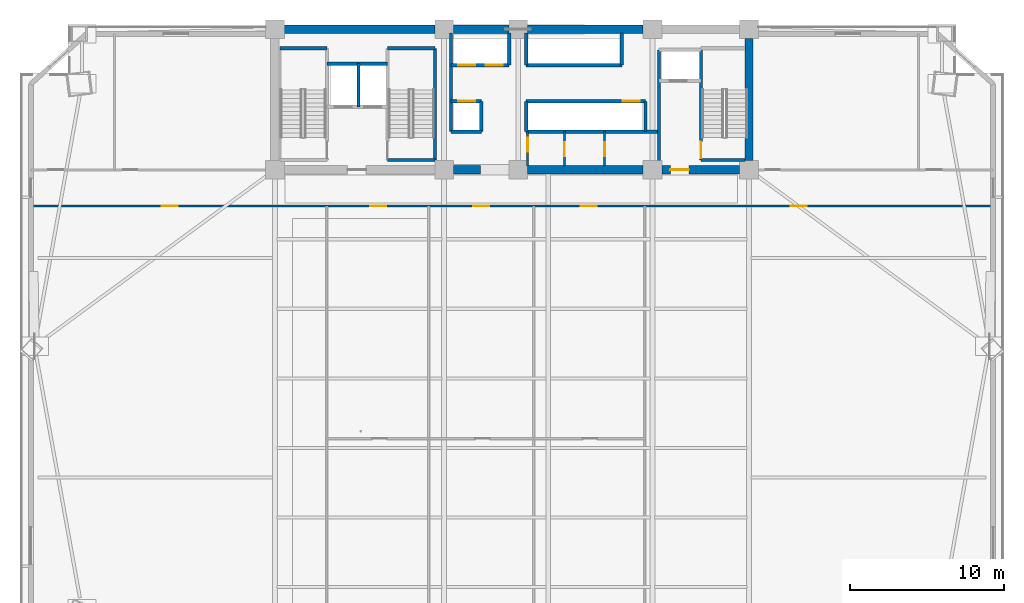
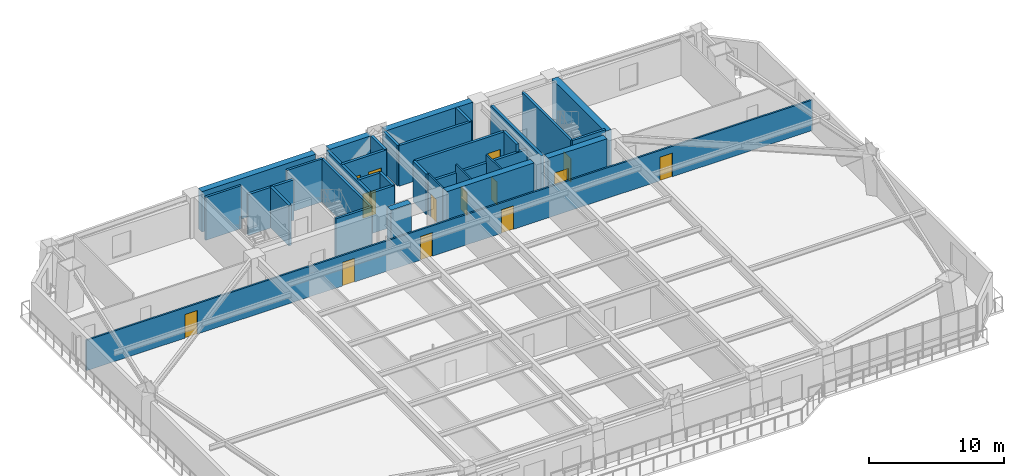
# One storey, part 9 of 16: 33 walls, 14 doors, 14 openings.
"""IFC4 building model written with IfcOpenShell, lengths in metres."""

from ifc_helpers import new_model, si_unit, direction, frame, frame_2d, origin, place, context, subcontext, project, spatial, rectangle, extrude, source, transform, mapped, material, layer, layer_set, type_object, element, fill, save


model = new_model("IFC4")

# Units and contexts
model_context = context("Model", 3, precision=1e-05, world=origin(), true_north=direction((0.0, 1.0)))
body_context = subcontext(model_context, "Body", "Model", "MODEL_VIEW")
ifc_project = project(units=[si_unit("LENGTHUNIT", "METRE"), si_unit("AREAUNIT", "SQUARE_METRE"), si_unit("VOLUMEUNIT", "CUBIC_METRE"), si_unit("PLANEANGLEUNIT", "RADIAN"), si_unit("MASSUNIT", "GRAM", prefix="KILO")], contexts=[model_context])

# Site, building, storey
site_placement = place(None, origin())
site = spatial("IfcSite", under=ifc_project, at=site_placement, CompositionType="ELEMENT")
building_placement = place(site_placement, origin())
building = spatial("IfcBuilding", under=site, at=building_placement, Name="Giltprow Tower", CompositionType="ELEMENT")
storey_placement = place(building_placement, frame((0.0, 0.0, 83.5)))
storey = spatial("IfcBuildingStorey", under=building, at=storey_placement, Name="L20", CompositionType="ELEMENT", Elevation=83.5)

# Wall, openings, doors
ifc_material_1 = material(Name="Gypsum stud partition", Category="gypsum")
ifc_layer_1 = layer(ifc_material_1, 0.14990234375, Name="Gypsum stud partition")
ifc_layer_set_1 = layer_set([ifc_layer_1], Name="Gypsum stud partition")
wall_type_1 = type_object("IfcWallType", Name="IW-CORR-150", PredefinedType="PARTITIONING", material=ifc_layer_set_1)
wall_1_placement = place(storey_placement, frame((4.0400390625, 35.10009765625, 0.0), z_axis=(0.0, 0.0, 1.0), x_axis=(1.0, 0.0, 0.0)))
wall_1 = element("IfcWall", 1, at=wall_1_placement, inside=storey, type_object=wall_type_1, Name="L20 Office Loop Corridor Wall", PredefinedType="PARTITIONING", context=body_context, shape_type="SweptSolid", body=[
    extrude(rectangle(XDim=62.321044921875, YDim=0.14990234375, at=frame_2d((31.16064453125, 0.0))), origin(), (0.0, 0.0, 1.0), 2.764892578125),
])
opening_1_placement = place(wall_1_placement, frame((8.4619140625, 0.0, 0.0)))
opening_1 = element("IfcOpeningElement", 2, at=opening_1_placement, cuts=wall_1, Name="Opening ID31", PredefinedType="OPENING", context=body_context, shape_type="SweptSolid", body=[
    extrude(rectangle(XDim=1.050048828125, YDim=2.14990234375, at=frame_2d((0.52490234375, 1.074951171875))), frame((0.0, 0.0849609375, 0.0), z_axis=(0.0, -1.0, 0.0), x_axis=(1.0, 0.0, 0.0)), (0.0, 0.0, 1.0), 0.169921875),
])
opening_2_placement = place(wall_1_placement, frame((21.966064453125, 0.0, 0.0)))
opening_2 = element("IfcOpeningElement", 3, at=opening_2_placement, cuts=wall_1, Name="Opening ID31", PredefinedType="OPENING", context=body_context, shape_type="SweptSolid", body=[
    extrude(rectangle(XDim=1.050048828125, YDim=2.14990234375, at=frame_2d((0.52490234375, 1.074951171875))), frame((0.0, 0.0849609375, 0.0), z_axis=(0.0, -1.0, 0.0), x_axis=(1.0, 0.0, 0.0)), (0.0, 0.0, 1.0), 0.169921875),
])
opening_3_placement = place(wall_1_placement, frame((28.64599609375, 0.0, 0.0)))
opening_3 = element("IfcOpeningElement", 4, at=opening_3_placement, cuts=wall_1, Name="Opening ID31", PredefinedType="OPENING", context=body_context, shape_type="SweptSolid", body=[
    extrude(rectangle(XDim=1.050048828125, YDim=2.14990234375, at=frame_2d((0.52490234375, 1.074951171875))), frame((0.0, 0.0849609375, 0.0), z_axis=(0.0, -1.0, 0.0), x_axis=(1.0, 0.0, 0.0)), (0.0, 0.0, 1.0), 0.169921875),
])
opening_4_placement = place(wall_1_placement, frame((35.60595703125, 0.0, 0.0)))
opening_4 = element("IfcOpeningElement", 5, at=opening_4_placement, cuts=wall_1, Name="Opening ID31", PredefinedType="OPENING", context=body_context, shape_type="SweptSolid", body=[
    extrude(rectangle(XDim=1.050048828125, YDim=2.14990234375, at=frame_2d((0.52490234375, 1.074951171875))), frame((0.0, 0.0849609375, 0.0), z_axis=(0.0, -1.0, 0.0), x_axis=(1.0, 0.0, 0.0)), (0.0, 0.0, 1.0), 0.169921875),
])
opening_5_placement = place(wall_1_placement, frame((49.216064453125, 0.0, 0.0)))
opening_5 = element("IfcOpeningElement", 6, at=opening_5_placement, cuts=wall_1, Name="Opening ID31", PredefinedType="OPENING", context=body_context, shape_type="SweptSolid", body=[
    extrude(rectangle(XDim=1.050048828125, YDim=2.14990234375, at=frame_2d((0.52490234375, 1.074951171875))), frame((0.0, 0.0849609375, 0.0), z_axis=(0.0, -1.0, 0.0), x_axis=(1.0, 0.0, 0.0)), (0.0, 0.0, 1.0), 0.169921875),
])
ifc_material_2 = material(Name="Engineered timber", Category="wood")
door_type_1 = type_object("IfcDoorType", Name="DR-SUITE-1050", OperationType="SINGLE_SWING_LEFT", PredefinedType="DOOR", material=ifc_material_2)
shared_shape_1 = source(origin(), body_context, "Body", "SweptSolid", [
    extrude(rectangle(XDim=1.050048828125, YDim=2.14990234375, at=frame_2d((0.52490234375, 1.074951171875))), frame((0.0, 0.02490234375, 0.0), z_axis=(0.0, -1.0, 0.0), x_axis=(1.0, 0.0, 0.0)), (0.0, 0.0, 1.0), 0.050048828125),
])
door_1_placement = place(opening_1_placement, origin())
door_1 = element("IfcDoor", 7, at=door_1_placement, inside=storey, type_object=door_type_1, Name="L20 Barista Test Kitchen 1 Door", OperationType="SINGLE_SWING_LEFT", OverallHeight=2.14990234375, OverallWidth=1.050048828125, PredefinedType="DOOR", context=body_context, shape_type="MappedRepresentation", body=[
    mapped(shared_shape_1, transform((0.0, 0.0, 0.0), x_axis=(1.0, 0.0, 0.0), y_axis=(0.0, 1.0, 0.0), z_axis=(0.0, 0.0, 1.0), scale=1.0)),
])
fill(opening_1, door_1)
door_2_placement = place(opening_2_placement, origin())
door_2 = element("IfcDoor", 8, at=door_2_placement, inside=storey, type_object=door_type_1, Name="L20 Suite Reception Foyer Door", OperationType="SINGLE_SWING_RIGHT", OverallHeight=2.14990234375, OverallWidth=1.050048828125, PredefinedType="DOOR", context=body_context, shape_type="MappedRepresentation", body=[
    mapped(shared_shape_1, transform((0.0, 0.0, 0.0), x_axis=(1.0, 0.0, 0.0), y_axis=(0.0, 1.0, 0.0), z_axis=(0.0, 0.0, 1.0), scale=1.0)),
])
fill(opening_2, door_2)
door_3_placement = place(opening_3_placement, origin())
door_3 = element("IfcDoor", 9, at=door_3_placement, inside=storey, type_object=door_type_1, Name="L20 Suite Reception Foyer Door", OperationType="SINGLE_SWING_RIGHT", OverallHeight=2.14990234375, OverallWidth=1.050048828125, PredefinedType="DOOR", context=body_context, shape_type="MappedRepresentation", body=[
    mapped(shared_shape_1, transform((0.0, 0.0, 0.0), x_axis=(1.0, 0.0, 0.0), y_axis=(0.0, 1.0, 0.0), z_axis=(0.0, 0.0, 1.0), scale=1.0)),
])
fill(opening_3, door_3)
door_4_placement = place(opening_4_placement, origin())
door_4 = element("IfcDoor", 10, at=door_4_placement, inside=storey, type_object=door_type_1, Name="L20 Suite Reception Foyer Door", OperationType="SINGLE_SWING_RIGHT", OverallHeight=2.14990234375, OverallWidth=1.050048828125, PredefinedType="DOOR", context=body_context, shape_type="MappedRepresentation", body=[
    mapped(shared_shape_1, transform((0.0, 0.0, 0.0), x_axis=(1.0, 0.0, 0.0), y_axis=(0.0, 1.0, 0.0), z_axis=(0.0, 0.0, 1.0), scale=1.0)),
])
fill(opening_4, door_4)
door_5_placement = place(opening_5_placement, origin())
door_5 = element("IfcDoor", 11, at=door_5_placement, inside=storey, type_object=door_type_1, Name="L20 Harbour Reading Lounge Door", OperationType="SINGLE_SWING_RIGHT", OverallHeight=2.14990234375, OverallWidth=1.050048828125, PredefinedType="DOOR", context=body_context, shape_type="MappedRepresentation", body=[
    mapped(shared_shape_1, transform((0.0, 0.0, 0.0), x_axis=(1.0, 0.0, 0.0), y_axis=(0.0, 1.0, 0.0), z_axis=(0.0, 0.0, 1.0), scale=1.0)),
])
fill(opening_5, door_5)

# Walls
ifc_material_3 = material(Name="Concrete C40", Category="concrete")
ifc_layer_2 = layer(ifc_material_3, 0.219970703125, Name="Concrete C40")
ifc_layer_set_2 = layer_set([ifc_layer_2], Name="Concrete C40")
wall_type_2 = type_object("IfcWallType", Name="IW-SHAFT-220", PredefinedType="SOLIDWALL", material=ifc_layer_set_2)
wall_2_placement = place(storey_placement, frame((25.260009765625, 41.52001953125, 0.0), z_axis=(0.0, 0.0, 1.0), x_axis=(0.0, 1.0, 0.0)))
element("IfcWall", 12, at=wall_2_placement, inside=storey, type_object=wall_type_2, Name="L20 FFL1-SVL1 Shaft Divider", PredefinedType="SOLIDWALL", context=body_context, shape_type="SweptSolid", body=[
    extrude(rectangle(XDim=2.800048828125, YDim=0.219970703125, at=frame_2d((1.39990234375, 0.0))), origin(), (0.0, 0.0, 1.0), 3.679931640625),
])
wall_3_placement = place(storey_placement, frame((23.219970703125, 44.320068359375, 0.0), z_axis=(0.0, 0.0, 1.0), x_axis=(1.0, 0.0, 0.0)))
element("IfcWall", 13, at=wall_3_placement, inside=storey, type_object=wall_type_2, Name="L20 FFL1-SVL1 Back Shaft Wall", PredefinedType="SOLIDWALL", context=body_context, shape_type="SweptSolid", body=[
    extrude(rectangle(XDim=3.919921875, YDim=0.219970703125, at=frame_2d((1.9599609375, 0.0))), origin(), (0.0, 0.0, 1.0), 3.679931640625),
])
wall_4_placement = place(storey_placement, frame((44.719970703125, 37.705078125, 0.0), z_axis=(0.0, 0.0, 1.0), x_axis=(0.0, 1.0, 0.0)))
element("IfcWall", 14, at=wall_4_placement, inside=storey, type_object=wall_type_2, Name="L20 East Firefighting Lobby West Wall", PredefinedType="SOLIDWALL", context=body_context, shape_type="SweptSolid", body=[
    extrude(rectangle(XDim=7.514892578125, YDim=0.219970703125, at=frame_2d((3.75732421875, 0.0))), origin(), (0.0, 0.0, 1.0), 3.679931640625),
])

# Wall, openings, doors
wall_5_placement = place(storey_placement, frame((31.25, 44.219970703125, 0.0), z_axis=(0.0, 0.0, 1.0), x_axis=(1.0, 0.0, 0.0)))
wall_5 = element("IfcWall", 15, at=wall_5_placement, inside=storey, type_object=wall_type_2, Name="L20 North West Lift Shaft Front Wall", PredefinedType="SOLIDWALL", context=body_context, shape_type="SweptSolid", body=[
    extrude(rectangle(XDim=3.77001953125, YDim=0.219970703125, at=frame_2d((1.885009765625, 0.0))), origin(), (0.0, 0.0, 1.0), 3.679931640625),
])
opening_6_placement = place(wall_5_placement, frame((0.4599609375, 0.0, 0.0)))
opening_6 = element("IfcOpeningElement", 16, at=opening_6_placement, cuts=wall_5, Name="Opening LD-11", PredefinedType="OPENING", context=body_context, shape_type="SweptSolid", body=[
    extrude(rectangle(XDim=1.10009765625, YDim=2.199951171875, at=frame_2d((0.550048828125, 1.10009765625))), frame((0.0, 0.119873046875, 0.0), z_axis=(0.0, -1.0, 0.0), x_axis=(1.0, 0.0, 0.0)), (0.0, 0.0, 1.0), 0.239990234375),
])
opening_7_placement = place(wall_5_placement, frame((2.239990234375, 0.0, 0.0)))
opening_7 = element("IfcOpeningElement", 17, at=opening_7_placement, cuts=wall_5, Name="Opening LD-11", PredefinedType="OPENING", context=body_context, shape_type="SweptSolid", body=[
    extrude(rectangle(XDim=1.10009765625, YDim=2.199951171875, at=frame_2d((0.550048828125, 1.10009765625))), frame((0.0, 0.119873046875, 0.0), z_axis=(0.0, -1.0, 0.0), x_axis=(1.0, 0.0, 0.0)), (0.0, 0.0, 1.0), 0.239990234375),
])
ifc_material_4 = material(Name="Stainless steel", Category="steel")
door_type_2 = type_object("IfcDoorType", Name="DR-LIFT-LD1100", OperationType="SLIDING_TO_LEFT", PredefinedType="DOOR", material=ifc_material_4)
shared_shape_2 = source(origin(), body_context, "Body", "SweptSolid", [
    extrude(rectangle(XDim=1.10009765625, YDim=2.199951171875, at=frame_2d((0.550048828125, 1.10009765625))), frame((0.0, 0.02490234375, 0.0), z_axis=(0.0, -1.0, 0.0), x_axis=(1.0, 0.0, 0.0)), (0.0, 0.0, 1.0), 0.050048828125),
])
door_6_placement = place(opening_6_placement, origin())
door_6 = element("IfcDoor", 18, at=door_6_placement, inside=storey, type_object=door_type_2, Name="L20 PL-L1 Landing Door", OperationType="SLIDING_TO_LEFT", OverallHeight=2.199951171875, OverallWidth=1.10009765625, PredefinedType="DOOR", context=body_context, shape_type="MappedRepresentation", body=[
    mapped(shared_shape_2, transform((0.0, 0.0, 0.0), x_axis=(1.0, 0.0, 0.0), y_axis=(0.0, 1.0, 0.0), z_axis=(0.0, 0.0, 1.0), scale=1.0)),
])
fill(opening_6, door_6)
door_7_placement = place(opening_7_placement, origin())
door_7 = element("IfcDoor", 19, at=door_7_placement, inside=storey, type_object=door_type_2, Name="L20 PL-L2 Landing Door", OperationType="SLIDING_TO_LEFT", OverallHeight=2.199951171875, OverallWidth=1.10009765625, PredefinedType="DOOR", context=body_context, shape_type="MappedRepresentation", body=[
    mapped(shared_shape_2, transform((0.0, 0.0, 0.0), x_axis=(1.0, 0.0, 0.0), y_axis=(0.0, 1.0, 0.0), z_axis=(0.0, 0.0, 1.0), scale=1.0)),
])
fill(opening_7, door_7)

# Walls
wall_6_placement = place(storey_placement, frame((36.1201171875, 44.219970703125, 0.0), z_axis=(0.0, 0.0, 1.0), x_axis=(1.0, 0.0, 0.0)))
element("IfcWall", 20, at=wall_6_placement, inside=storey, type_object=wall_type_2, Name="L20 North East Lift Shaft Front Wall", PredefinedType="SOLIDWALL", context=body_context, shape_type="SweptSolid", body=[
    extrude(rectangle(XDim=6.199951171875, YDim=0.219970703125, at=frame_2d((3.10009765625, 0.0))), origin(), (0.0, 0.0, 1.0), 3.679931640625),
])
for number, where, z_axis, x_axis, name in (
    (21, (35.02001953125, 44.219970703125, 0.0), (0.0, 0.0, 1.0), (0.0, 1.0, 0.0), "L20 North West Lift Shaft East Closure"),
    (22, (36.1201171875, 44.219970703125, 0.0), (0.0, 0.0, 1.0), (0.0, 1.0, 0.0), "L20 North East Lift Shaft West Closure"),
    (23, (42.320068359375, 44.219970703125, 0.0), (0.0, 0.0, 1.0), (0.0, 1.0, 0.0), "L20 North East Lift Shaft East Closure"),
):
    element("IfcWall", number, at=place(storey_placement, frame(where, z_axis=z_axis, x_axis=x_axis)), inside=storey, type_object=wall_type_2, Name=name, PredefinedType="SOLIDWALL", context=body_context, shape_type="SweptSolid", body=[
        extrude(rectangle(XDim=2.074951171875, YDim=0.219970703125, at=frame_2d((1.03759765625, 0.0))), origin(), (0.0, 0.0, 1.0), 3.679931640625),
    ])

# Wall, opening, door
wall_7_placement = place(storey_placement, frame((31.25, 41.8798828125, 0.0), z_axis=(0.0, 0.0, 1.0), x_axis=(1.0, 0.0, 0.0)))
wall_7 = element("IfcWall", 24, at=wall_7_placement, inside=storey, type_object=wall_type_2, Name="L20 South West Lift Shaft Front Wall", PredefinedType="SOLIDWALL", context=body_context, shape_type="SweptSolid", body=[
    extrude(rectangle(XDim=1.969970703125, YDim=0.219970703125, at=frame_2d((0.98486328125, 0.0))), origin(), (0.0, 0.0, 1.0), 3.679931640625),
])
opening_8_placement = place(wall_7_placement, frame((0.4599609375, 0.0, 0.0)))
opening_8 = element("IfcOpeningElement", 25, at=opening_8_placement, cuts=wall_7, Name="Opening LD-11", PredefinedType="OPENING", context=body_context, shape_type="SweptSolid", body=[
    extrude(rectangle(XDim=1.10009765625, YDim=2.199951171875, at=frame_2d((0.550048828125, 1.10009765625))), frame((0.0, 0.119873046875, 0.0), z_axis=(0.0, -1.0, 0.0), x_axis=(1.0, 0.0, 0.0)), (0.0, 0.0, 1.0), 0.239990234375),
])
door_8_placement = place(opening_8_placement, origin())
door_8 = element("IfcDoor", 26, at=door_8_placement, inside=storey, type_object=door_type_2, Name="L20 PL-L3 Landing Door", OperationType="SLIDING_TO_LEFT", OverallHeight=2.199951171875, OverallWidth=1.10009765625, PredefinedType="DOOR", context=body_context, shape_type="MappedRepresentation", body=[
    mapped(shared_shape_2, transform((0.0, 0.0, 0.0), x_axis=(1.0, 0.0, 0.0), y_axis=(0.0, 1.0, 0.0), z_axis=(0.0, 0.0, 1.0), scale=1.0)),
])
fill(opening_8, door_8)

wall_8_placement = place(storey_placement, frame((36.1201171875, 41.8798828125, 0.0), z_axis=(0.0, 0.0, 1.0), x_axis=(1.0, 0.0, 0.0)))
wall_8 = element("IfcWall", 27, at=wall_8_placement, inside=storey, type_object=wall_type_2, Name="L20 South East Lift Shaft Front Wall", PredefinedType="SOLIDWALL", context=body_context, shape_type="SweptSolid", body=[
    extrude(rectangle(XDim=7.72998046875, YDim=0.219970703125, at=frame_2d((3.864990234375, 0.0))), origin(), (0.0, 0.0, 1.0), 3.679931640625),
])
opening_9_placement = place(wall_8_placement, frame((6.260009765625, 0.0, 0.0)))
opening_9 = element("IfcOpeningElement", 28, at=opening_9_placement, cuts=wall_8, Name="Opening LD-11", PredefinedType="OPENING", context=body_context, shape_type="SweptSolid", body=[
    extrude(rectangle(XDim=1.10009765625, YDim=2.199951171875, at=frame_2d((0.550048828125, 1.10009765625))), frame((0.0, 0.119873046875, 0.0), z_axis=(0.0, -1.0, 0.0), x_axis=(1.0, 0.0, 0.0)), (0.0, 0.0, 1.0), 0.239990234375),
])
door_9_placement = place(opening_9_placement, origin())
door_9 = element("IfcDoor", 29, at=door_9_placement, inside=storey, type_object=door_type_2, Name="L20 PL-L4 Landing Door", OperationType="SLIDING_TO_LEFT", OverallHeight=2.199951171875, OverallWidth=1.10009765625, PredefinedType="DOOR", context=body_context, shape_type="MappedRepresentation", body=[
    mapped(shared_shape_2, transform((0.0, 0.0, 0.0), x_axis=(1.0, 0.0, 0.0), y_axis=(0.0, 1.0, 0.0), z_axis=(0.0, 0.0, 1.0), scale=1.0)),
])
fill(opening_9, door_9)

# Walls
wall_9_placement = place(storey_placement, frame((31.25, 39.919921875, 0.0), z_axis=(0.0, 0.0, 1.0), x_axis=(1.0, 0.0, 0.0)))
element("IfcWall", 30, at=wall_9_placement, inside=storey, type_object=wall_type_2, Name="L20 Low-Rise South Lift Back Wall", PredefinedType="SOLIDWALL", context=body_context, shape_type="SweptSolid", body=[
    extrude(rectangle(XDim=1.969970703125, YDim=0.219970703125, at=frame_2d((0.98486328125, 0.0))), origin(), (0.0, 0.0, 1.0), 3.679931640625),
])
wall_10_placement = place(storey_placement, frame((33.219970703125, 39.919921875, 0.0), z_axis=(0.0, 0.0, 1.0), x_axis=(0.0, 1.0, 0.0)))
element("IfcWall", 31, at=wall_10_placement, inside=storey, type_object=wall_type_2, Name="L20 Low-Rise South Lift East Closure", PredefinedType="SOLIDWALL", context=body_context, shape_type="SweptSolid", body=[
    extrude(rectangle(XDim=1.9599609375, YDim=0.219970703125, at=frame_2d((0.97998046875, 0.0))), origin(), (0.0, 0.0, 1.0), 3.679931640625),
])
wall_11_placement = place(storey_placement, frame((36.1201171875, 39.919921875, 0.0), z_axis=(0.0, 0.0, 1.0), x_axis=(1.0, 0.0, 0.0)))
element("IfcWall", 32, at=wall_11_placement, inside=storey, type_object=wall_type_2, Name="L20 Express South Shaft Back Wall", PredefinedType="SOLIDWALL", context=body_context, shape_type="SweptSolid", body=[
    extrude(rectangle(XDim=8.599853515625, YDim=0.219970703125, at=frame_2d((4.2998046875, 0.0))), origin(), (0.0, 0.0, 1.0), 2.965087890625),
])
wall_12_placement = place(storey_placement, frame((36.1201171875, 39.919921875, 0.0), z_axis=(0.0, 0.0, 1.0), x_axis=(0.0, 1.0, 0.0)))
element("IfcWall", 33, at=wall_12_placement, inside=storey, type_object=wall_type_2, Name="L20 Express South Shaft West Closure", PredefinedType="SOLIDWALL", context=body_context, shape_type="SweptSolid", body=[
    extrude(rectangle(XDim=1.9599609375, YDim=0.219970703125, at=frame_2d((0.97998046875, 0.0))), origin(), (0.0, 0.0, 1.0), 3.679931640625),
])
wall_13_placement = place(storey_placement, frame((31.25, 39.919921875, 0.0), z_axis=(0.0, 0.0, 1.0), x_axis=(0.0, 1.0, 0.0)))
element("IfcWall", 34, at=wall_13_placement, inside=storey, type_object=wall_type_2, Name="L20 Lift Bank West Closure", PredefinedType="SOLIDWALL", context=body_context, shape_type="SweptSolid", body=[
    extrude(rectangle(XDim=6.375, YDim=0.219970703125, at=frame_2d((3.1875, 0.0))), origin(), (0.0, 0.0, 1.0), 3.679931640625),
])
wall_14_placement = place(storey_placement, frame((43.85009765625, 39.919921875, 0.0), z_axis=(0.0, 0.0, 1.0), x_axis=(0.0, 1.0, 0.0)))
element("IfcWall", 35, at=wall_14_placement, inside=storey, type_object=wall_type_2, Name="L20 Lift Bank South-East Closure", PredefinedType="SOLIDWALL", context=body_context, shape_type="SweptSolid", body=[
    extrude(rectangle(XDim=1.9599609375, YDim=0.219970703125, at=frame_2d((0.97998046875, 0.0))), origin(), (0.0, 0.0, 1.0), 3.679931640625),
])
ifc_layer_3 = layer(ifc_material_3, 0.199951171875, Name="Concrete C40")
ifc_layer_set_3 = layer_set([ifc_layer_3], Name="Concrete C40")
wall_type_3 = type_object("IfcWallType", Name="IW-STAIR-200", PredefinedType="SOLIDWALL", material=ifc_layer_set_3)
wall_15_placement = place(storey_placement, frame((20.169921875, 45.320068359375, 0.0), z_axis=(0.0, 0.0, 1.0), x_axis=(1.0, 0.0, 0.0)))
element("IfcWall", 36, at=wall_15_placement, inside=storey, type_object=wall_type_3, Name="L20 Stair ST-1 North Bearing Wall", PredefinedType="SOLIDWALL", context=body_context, shape_type="SweptSolid", body=[
    extrude(rectangle(XDim=3.050048828125, YDim=0.199951171875, at=frame_2d((1.52490234375, 0.0))), origin(), (0.0, 0.0, 1.0), 3.89990234375),
])
wall_16_placement = place(storey_placement, frame((30.219970703125, 38.070068359375, 0.0), z_axis=(0.0, 0.0, 1.0), x_axis=(0.0, 1.0, 0.0)))
element("IfcWall", 37, at=wall_16_placement, inside=storey, type_object=wall_type_3, Name="L20 Stair ST-2 East Bearing Wall", PredefinedType="SOLIDWALL", context=body_context, shape_type="SweptSolid", body=[
    extrude(rectangle(XDim=7.25, YDim=0.199951171875, at=frame_2d((3.625, 0.0))), origin(), (0.0, 0.0, 1.0), 3.89990234375),
])
for number, where, z_axis, x_axis, name in (
    (38, (27.139892578125, 45.320068359375, 0.0), (0.0, 0.0, 1.0), (1.0, 0.0, 0.0), "L20 Stair ST-2 North Bearing Wall"),
    (39, (27.139892578125, 38.070068359375, 0.0), (0.0, 0.0, 1.0), (1.0, 0.0, 0.0), "L20 Stair ST-2 South Bearing Wall"),
):
    element("IfcWall", number, at=place(storey_placement, frame(where, z_axis=z_axis, x_axis=x_axis)), inside=storey, type_object=wall_type_3, Name=name, PredefinedType="SOLIDWALL", context=body_context, shape_type="SweptSolid", body=[
        extrude(rectangle(XDim=3.080078125, YDim=0.199951171875, at=frame_2d((1.5400390625, 0.0))), origin(), (0.0, 0.0, 1.0), 3.89990234375),
    ])

# Wall, opening, door
wall_17_placement = place(storey_placement, frame((47.43994140625, 38.070068359375, 0.0), z_axis=(0.0, 0.0, 1.0), x_axis=(0.0, 1.0, 0.0)))
wall_17 = element("IfcWall", 40, at=wall_17_placement, inside=storey, type_object=wall_type_3, Name="L20 Stair ST-3 West Bearing Wall", PredefinedType="SOLIDWALL", context=body_context, shape_type="SweptSolid", body=[
    extrude(rectangle(XDim=7.25, YDim=0.199951171875, at=frame_2d((3.625, 0.0))), origin(), (0.0, 0.0, 1.0), 3.89990234375),
])
opening_10_placement = place(wall_17_placement, frame((0.110107421875, 0.0, 0.0)))
opening_10 = element("IfcOpeningElement", 41, at=opening_10_placement, cuts=wall_17, Name="Opening ID33", PredefinedType="OPENING", context=body_context, shape_type="SweptSolid", body=[
    extrude(rectangle(XDim=1.10009765625, YDim=2.14990234375, at=frame_2d((0.550048828125, 1.074951171875))), frame((0.0, 0.10986328125, 0.0), z_axis=(0.0, -1.0, 0.0), x_axis=(1.0, 0.0, 0.0)), (0.0, 0.0, 1.0), 0.219970703125),
])
ifc_material_5 = material(Name="Steel fire leaf", Category="steel")
door_type_3 = type_object("IfcDoorType", Name="DR-STAIR-1100", OperationType="SINGLE_SWING_LEFT", PredefinedType="DOOR", material=ifc_material_5)
shared_shape_3 = source(origin(), body_context, "Body", "SweptSolid", [
    extrude(rectangle(XDim=1.10009765625, YDim=2.14990234375, at=frame_2d((0.550048828125, 1.074951171875))), frame((0.0, 0.02490234375, 0.0), z_axis=(0.0, -1.0, 0.0), x_axis=(1.0, 0.0, 0.0)), (0.0, 0.0, 1.0), 0.050048828125),
])
door_10_placement = place(opening_10_placement, origin())
door_10 = element("IfcDoor", 42, at=door_10_placement, inside=storey, type_object=door_type_3, Name="L20 Stair ST-3 Fire Door", OperationType="SINGLE_SWING_LEFT", OverallHeight=2.14990234375, OverallWidth=1.10009765625, PredefinedType="DOOR", context=body_context, shape_type="MappedRepresentation", body=[
    mapped(shared_shape_3, transform((0.0, 0.0, 0.0), x_axis=(1.0, 0.0, 0.0), y_axis=(0.0, 1.0, 0.0), z_axis=(0.0, 0.0, 1.0), scale=1.0)),
])
fill(opening_10, door_10)

# Wall
wall_18_placement = place(storey_placement, frame((47.43994140625, 38.070068359375, 0.0), z_axis=(0.0, 0.0, 1.0), x_axis=(1.0, 0.0, 0.0)))
element("IfcWall", 43, at=wall_18_placement, inside=storey, type_object=wall_type_3, Name="L20 Stair ST-3 South Bearing Wall", PredefinedType="SOLIDWALL", context=body_context, shape_type="SweptSolid", body=[
    extrude(rectangle(XDim=2.85498046875, YDim=0.199951171875, at=frame_2d((1.427490234375, 0.0))), origin(), (0.0, 0.0, 1.0), 3.89990234375),
])

# Wall, opening, door
ifc_material_6 = material(Name="Concrete C30", Category="concrete")
ifc_layer_4 = layer(ifc_material_6, 0.1298828125, Name="Concrete C30")
ifc_layer_set_4 = layer_set([ifc_layer_4], Name="Concrete C30")
wall_type_4 = type_object("IfcWallType", Name="IW-WET-130", PredefinedType="PARTITIONING", material=ifc_layer_set_4)
wall_19_placement = place(storey_placement, frame((36.219970703125, 37.705078125, 0.0), z_axis=(0.0, 0.0, 1.0), x_axis=(0.0, 1.0, 0.0)))
wall_19 = element("IfcWall", 44, at=wall_19_placement, inside=storey, type_object=wall_type_4, Name="L20 Core Suite West Wall", PredefinedType="PARTITIONING", context=body_context, shape_type="SweptSolid", body=[
    extrude(rectangle(XDim=2.21484375, YDim=0.1298828125, at=frame_2d((1.107421875, 0.0))), origin(), (0.0, 0.0, 1.0), 3.679931640625),
])
opening_11_placement = place(wall_19_placement, frame((0.905029296875, 0.0, 0.0)))
opening_11 = element("IfcOpeningElement", 45, at=opening_11_placement, cuts=wall_19, Name="Opening ID35", PredefinedType="OPENING", context=body_context, shape_type="SweptSolid", body=[
    extrude(rectangle(XDim=0.89990234375, YDim=2.10009765625, at=frame_2d((0.449951171875, 1.050048828125))), frame((0.0, 0.074951171875, 0.0), z_axis=(0.0, -1.0, 0.0), x_axis=(1.0, 0.0, 0.0)), (0.0, 0.0, 1.0), 0.14990234375),
])
door_type_4 = type_object("IfcDoorType", Name="DR-SHAFT-900", OperationType="SINGLE_SWING_LEFT", PredefinedType="DOOR", material=ifc_material_5)
shared_shape_4 = source(origin(), body_context, "Body", "SweptSolid", [
    extrude(rectangle(XDim=0.89990234375, YDim=2.10009765625, at=frame_2d((0.449951171875, 1.050048828125))), frame((0.0, 0.02490234375, 0.0), z_axis=(0.0, -1.0, 0.0), x_axis=(1.0, 0.0, 0.0)), (0.0, 0.0, 1.0), 0.050048828125),
])
door_11_placement = place(opening_11_placement, origin())
door_11 = element("IfcDoor", 46, at=door_11_placement, inside=storey, type_object=door_type_4, Name="L20 Core Washroom 1 Door", OperationType="SINGLE_SWING_RIGHT", OverallHeight=2.10009765625, OverallWidth=0.89990234375, PredefinedType="DOOR", context=body_context, shape_type="MappedRepresentation", body=[
    mapped(shared_shape_4, transform((0.0, 0.0, 0.0), x_axis=(1.0, 0.0, 0.0), y_axis=(0.0, 1.0, 0.0), z_axis=(0.0, 0.0, 1.0), scale=1.0)),
])
fill(opening_11, door_11)

wall_20_placement = place(storey_placement, frame((38.60009765625, 37.705078125, 0.0), z_axis=(0.0, 0.0, 1.0), x_axis=(0.0, 1.0, 0.0)))
wall_20 = element("IfcWall", 47, at=wall_20_placement, inside=storey, type_object=wall_type_4, Name="L20 Core Suite Divider 1", PredefinedType="PARTITIONING", context=body_context, shape_type="SweptSolid", body=[
    extrude(rectangle(XDim=2.21484375, YDim=0.1298828125, at=frame_2d((1.107421875, 0.0))), origin(), (0.0, 0.0, 1.0), 3.679931640625),
])
opening_12_placement = place(wall_20_placement, frame((0.614990234375, 0.0, 0.0)))
opening_12 = element("IfcOpeningElement", 48, at=opening_12_placement, cuts=wall_20, Name="Opening ID35", PredefinedType="OPENING", context=body_context, shape_type="SweptSolid", body=[
    extrude(rectangle(XDim=0.89990234375, YDim=2.10009765625, at=frame_2d((0.449951171875, 1.050048828125))), frame((0.0, 0.074951171875, 0.0), z_axis=(0.0, -1.0, 0.0), x_axis=(1.0, 0.0, 0.0)), (0.0, 0.0, 1.0), 0.14990234375),
])
door_12_placement = place(opening_12_placement, origin())
door_12 = element("IfcDoor", 49, at=door_12_placement, inside=storey, type_object=door_type_4, Name="L20 Core Stationery Room Door", OperationType="SINGLE_SWING_LEFT", OverallHeight=2.10009765625, OverallWidth=0.89990234375, PredefinedType="DOOR", context=body_context, shape_type="MappedRepresentation", body=[
    mapped(shared_shape_4, transform((0.0, 0.0, 0.0), x_axis=(1.0, 0.0, 0.0), y_axis=(0.0, 1.0, 0.0), z_axis=(0.0, 0.0, 1.0), scale=1.0)),
])
fill(opening_12, door_12)

wall_21_placement = place(storey_placement, frame((41.199951171875, 37.705078125, 0.0), z_axis=(0.0, 0.0, 1.0), x_axis=(0.0, 1.0, 0.0)))
wall_21 = element("IfcWall", 50, at=wall_21_placement, inside=storey, type_object=wall_type_4, Name="L20 Core Suite Divider 2", PredefinedType="PARTITIONING", context=body_context, shape_type="SweptSolid", body=[
    extrude(rectangle(XDim=2.21484375, YDim=0.1298828125, at=frame_2d((1.107421875, 0.0))), origin(), (0.0, 0.0, 1.0), 3.679931640625),
])
opening_13_placement = place(wall_21_placement, frame((0.614990234375, 0.0, 0.0)))
opening_13 = element("IfcOpeningElement", 51, at=opening_13_placement, cuts=wall_21, Name="Opening ID35", PredefinedType="OPENING", context=body_context, shape_type="SweptSolid", body=[
    extrude(rectangle(XDim=0.89990234375, YDim=2.10009765625, at=frame_2d((0.449951171875, 1.050048828125))), frame((0.0, 0.074951171875, 0.0), z_axis=(0.0, -1.0, 0.0), x_axis=(1.0, 0.0, 0.0)), (0.0, 0.0, 1.0), 0.14990234375),
])
door_13_placement = place(opening_13_placement, origin())
door_13 = element("IfcDoor", 52, at=door_13_placement, inside=storey, type_object=door_type_4, Name="L20 Core Archive Room Door", OperationType="SINGLE_SWING_RIGHT", OverallHeight=2.10009765625, OverallWidth=0.89990234375, PredefinedType="DOOR", context=body_context, shape_type="MappedRepresentation", body=[
    mapped(shared_shape_4, transform((0.0, 0.0, 0.0), x_axis=(1.0, 0.0, 0.0), y_axis=(0.0, 1.0, 0.0), z_axis=(0.0, 0.0, 1.0), scale=1.0)),
])
fill(opening_13, door_13)

# Walls
ifc_material_7 = material(Name="Concrete C60", Category="concrete")
ifc_layer_5 = layer(ifc_material_7, 0.550048828125, Name="Concrete C60")
ifc_layer_set_5 = layer_set([ifc_layer_5], Name="Concrete C60")
wall_type_5 = type_object("IfcWallType", Name="SW-EXT-550-C60", PredefinedType="SHEAR", material=ifc_layer_set_5)
wall_22_placement = place(storey_placement, frame((20.449951171875, 46.550048828125, 0.0), z_axis=(0.0, 0.0, 1.0), x_axis=(1.0, 0.0, 0.0)))
element("IfcWall", 53, at=wall_22_placement, inside=storey, type_object=wall_type_5, Name="L20 North Rear Core Shear Wall 1", PredefinedType="SHEAR", context=body_context, shape_type="SweptSolid", body=[
    extrude(rectangle(XDim=9.75, YDim=0.550048828125, at=frame_2d((4.875, 0.0))), origin(), (0.0, 0.0, 1.0), 3.679931640625),
])
wall_23_placement = place(storey_placement, frame((31.39990234375, 46.550048828125, 0.0), z_axis=(0.0, 0.0, 1.0), x_axis=(1.0, 0.0, 0.0)))
element("IfcWall", 54, at=wall_23_placement, inside=storey, type_object=wall_type_5, Name="L20 North Rear Core Shear Wall 2", PredefinedType="SHEAR", context=body_context, shape_type="SweptSolid", body=[
    extrude(rectangle(XDim=3.60009765625, YDim=0.550048828125, at=frame_2d((1.800048828125, 0.0))), origin(), (0.0, 0.0, 1.0), 3.679931640625),
])
wall_24_placement = place(storey_placement, frame((36.199951171875, 46.550048828125, 0.0), z_axis=(0.0, 0.0, 1.0), x_axis=(1.0, 0.0, 0.0)))
element("IfcWall", 55, at=wall_24_placement, inside=storey, type_object=wall_type_5, Name="L20 North Rear Core Shear Wall 3", PredefinedType="SHEAR", context=body_context, shape_type="SweptSolid", body=[
    extrude(rectangle(XDim=7.5, YDim=0.550048828125, at=frame_2d((3.75, 0.0))), origin(), (0.0, 0.0, 1.0), 3.679931640625),
])
ifc_layer_6 = layer(ifc_material_7, 0.550048828125, Name="Concrete C60")
ifc_layer_set_6 = layer_set([ifc_layer_6], Name="Concrete C60")
wall_type_6 = type_object("IfcWallType", Name="SW-INT-550-C60", PredefinedType="SHEAR", material=ifc_layer_set_6)
wall_25_placement = place(storey_placement, frame((31.39990234375, 37.449951171875, 0.0), z_axis=(0.0, 0.0, 1.0), x_axis=(1.0, 0.0, 0.0)))
element("IfcWall", 56, at=wall_25_placement, inside=storey, type_object=wall_type_6, Name="L20 South Rear Core Shear Wall Mid-West", PredefinedType="SHEAR", context=body_context, shape_type="SweptSolid", body=[
    extrude(rectangle(XDim=1.75, YDim=0.550048828125, at=frame_2d((0.875, 0.0))), origin(), (0.0, 0.0, 1.0), 3.679931640625),
])
wall_26_placement = place(storey_placement, frame((36.199951171875, 37.449951171875, 0.0), z_axis=(0.0, 0.0, 1.0), x_axis=(1.0, 0.0, 0.0)))
element("IfcWall", 57, at=wall_26_placement, inside=storey, type_object=wall_type_6, Name="L20 South Rear Core Shear Wall Mid-East", PredefinedType="SHEAR", context=body_context, shape_type="SweptSolid", body=[
    extrude(rectangle(XDim=7.5, YDim=0.550048828125, at=frame_2d((3.75, 0.0))), origin(), (0.0, 0.0, 1.0), 3.679931640625),
])

# Wall, opening, door
wall_27_placement = place(storey_placement, frame((44.89990234375, 37.449951171875, 0.0), z_axis=(0.0, 0.0, 1.0), x_axis=(1.0, 0.0, 0.0)))
wall_27 = element("IfcWall", 58, at=wall_27_placement, inside=storey, type_object=wall_type_6, Name="L20 South Rear Core Shear Wall East", PredefinedType="SHEAR", context=body_context, shape_type="SweptSolid", body=[
    extrude(rectangle(XDim=5.050048828125, YDim=0.550048828125, at=frame_2d((2.52490234375, 0.0))), origin(), (0.0, 0.0, 1.0), 3.679931640625),
])
opening_14_placement = place(wall_27_placement, frame((0.550048828125, 0.0, 0.0)))
opening_14 = element("IfcOpeningElement", 59, at=opening_14_placement, cuts=wall_27, Name="Opening ID19", PredefinedType="OPENING", context=body_context, shape_type="SweptSolid", body=[
    extrude(rectangle(XDim=1.199951171875, YDim=2.14990234375, at=frame_2d((0.60009765625, 1.074951171875))), frame((0.0, 0.284912109375, 0.0), z_axis=(0.0, -1.0, 0.0), x_axis=(1.0, 0.0, 0.0)), (0.0, 0.0, 1.0), 0.570068359375),
])
door_type_5 = type_object("IfcDoorType", Name="DR-FFLOBBY-1200", OperationType="SINGLE_SWING_RIGHT", PredefinedType="DOOR", material=ifc_material_5)
shared_shape_5 = source(origin(), body_context, "Body", "SweptSolid", [
    extrude(rectangle(XDim=1.199951171875, YDim=2.14990234375, at=frame_2d((0.60009765625, 1.074951171875))), frame((0.0, 0.02490234375, 0.0), z_axis=(0.0, -1.0, 0.0), x_axis=(1.0, 0.0, 0.0)), (0.0, 0.0, 1.0), 0.050048828125),
])
door_14_placement = place(opening_14_placement, origin())
door_14 = element("IfcDoor", 60, at=door_14_placement, inside=storey, type_object=door_type_5, Name="L20 East Firefighting Lobby Entry Door", OperationType="SINGLE_SWING_RIGHT", OverallHeight=2.14990234375, OverallWidth=1.199951171875, PredefinedType="DOOR", context=body_context, shape_type="MappedRepresentation", body=[
    mapped(shared_shape_5, transform((0.0, 0.0, 0.0), x_axis=(1.0, 0.0, 0.0), y_axis=(0.0, 1.0, 0.0), z_axis=(0.0, 0.0, 1.0), scale=1.0)),
])
fill(opening_14, door_14)

# Wall
wall_28_placement = place(storey_placement, frame((50.550048828125, 38.050048828125, 0.0), z_axis=(0.0, 0.0, 1.0), x_axis=(0.0, 1.0, 0.0)))
element("IfcWall", 61, at=wall_28_placement, inside=storey, type_object=wall_type_6, Name="L20 E Rear Core Shear Wall", PredefinedType="SHEAR", context=body_context, shape_type="SweptSolid", body=[
    extrude(rectangle(XDim=7.89990234375, YDim=0.550048828125, at=frame_2d((3.949951171875, 0.0))), origin(), (0.0, 0.0, 1.0), 3.679931640625),
])

save(model, "model.ifc")
